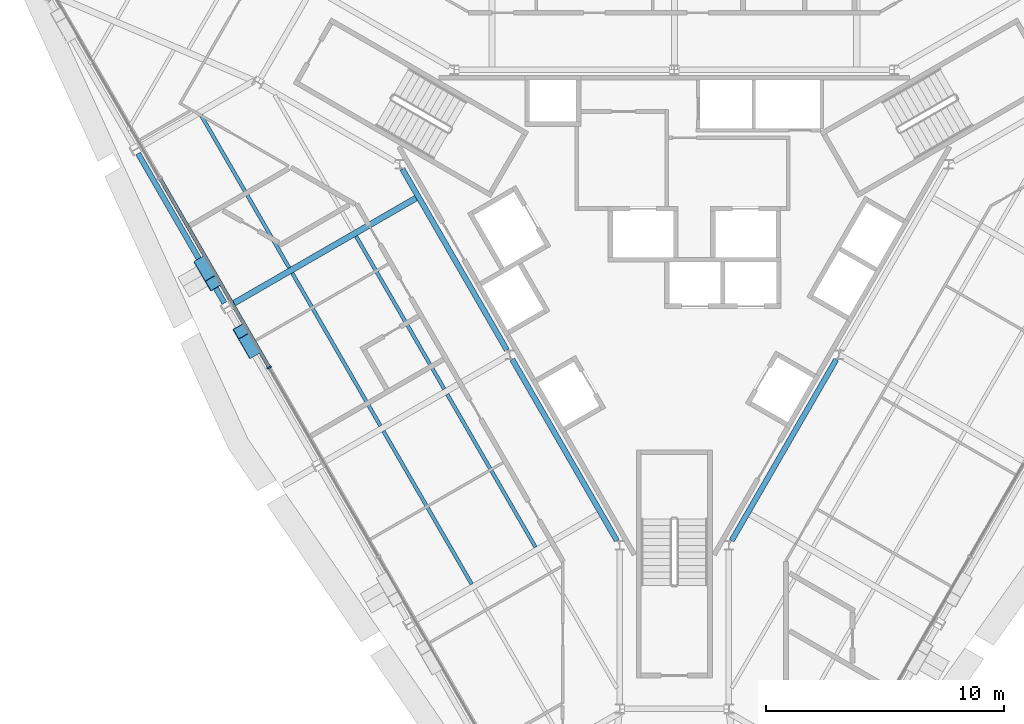
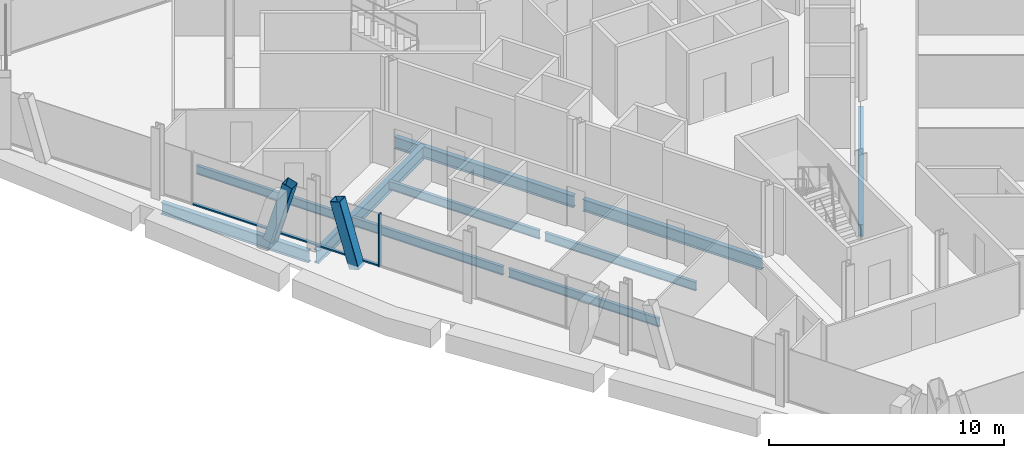
# One storey, part 3 of 13: 10 beams, 4 members, 1 element without a shape of its own.
"""IFC4 building model written with IfcOpenShell, lengths in metres."""

from ifc_helpers import new_model, si_unit, direction, frame, origin, origin_2d, place, context, subcontext, project, spatial, rectangle, hollow_rectangle, i_section, extrude, material, material_profile, profile_set, type_object, element, aggregate, save


model = new_model("IFC4")

# Units and contexts
model_context = context("Model", 3, precision=1e-05, world=origin(), true_north=direction((0.0, 1.0)))
body_context = subcontext(model_context, "Body", "Model", "MODEL_VIEW")
ifc_project = project(units=[si_unit("LENGTHUNIT", "METRE"), si_unit("AREAUNIT", "SQUARE_METRE"), si_unit("VOLUMEUNIT", "CUBIC_METRE"), si_unit("PLANEANGLEUNIT", "RADIAN"), si_unit("MASSUNIT", "GRAM", prefix="KILO")], contexts=[model_context])

# Site, building, storey
site_placement = place(None, origin())
site = spatial("IfcSite", under=ifc_project, at=site_placement, CompositionType="ELEMENT")
building_placement = place(site_placement, origin())
building = spatial("IfcBuilding", under=site, at=building_placement, Name="Verrane Prism Tower", CompositionType="ELEMENT")
storey_placement = place(building_placement, frame((0.0, 0.0, 167.300048828125)))
storey = spatial("IfcBuildingStorey", under=building, at=storey_placement, Name="L41", CompositionType="ELEMENT", Elevation=167.300048828125)

# Beams
ifc_material_1 = material(Name="Steel A992", Category="steel")
ifc_material_profile_1 = material_profile(ifc_material_1, i_section(OverallWidth=0.23046875, OverallDepth=0.6171875, WebThickness=0.01318359375, FlangeThickness=0.022216796875, FilletRadius=0.012939453125, at=origin_2d()), Name="W24x94")
ifc_profile_set_1 = profile_set([ifc_material_profile_1], Name="Steel A992")
beam_type_1 = type_object("IfcBeamType", Name="Core ring girder W24x94", PredefinedType="BEAM", material=ifc_profile_set_1)
beam_1_placement = place(storey_placement, frame((-11.44482421875, 3.820556640625, -0.55859375), z_axis=(0.499967414725, -0.866044216084, 0.0), x_axis=(0.866044216084, 0.499967414725, 0.0)))
element("IfcBeam", 1, at=beam_1_placement, inside=storey, type_object=beam_type_1, Name="Core ring girder L41", PredefinedType="BEAM", context=body_context, shape_type="SweptSolid", body=[
    extrude(i_section(OverallWidth=0.23046875, OverallDepth=0.6171875, WebThickness=0.01318359375, FlangeThickness=0.022216796875, FilletRadius=0.012939453125, at=origin_2d()), origin(), (0.0, 0.0, 1.0), 8.7998046875),
])
for number, where, z_axis, x_axis, name in (
    (2, (-6.81494140625, -4.199462890625, -0.55859375), (0.499988222896, -0.866032203192, 0.0), (0.866032203192, 0.499988222896, 0.0), "Core ring girder L41"),
    (3, (2.4150390625, -11.820556640625, -0.55859375), (0.499988222896, 0.866032203192, 0.0), (-0.866032203192, 0.499988222896, 0.0), "Core ring girder L41"),
):
    element("IfcBeam", number, at=place(storey_placement, frame(where, z_axis=z_axis, x_axis=x_axis)), inside=storey, type_object=beam_type_1, Name=name, PredefinedType="BEAM", context=body_context, shape_type="SweptSolid", body=[
        extrude(i_section(OverallWidth=0.23046875, OverallDepth=0.6171875, WebThickness=0.01318359375, FlangeThickness=0.022216796875, FilletRadius=0.012939453125, at=origin_2d()), origin(), (0.0, 0.0, 1.0), 8.800048828125),
    ])

# Members
ifc_material_2 = material(Name="Steel A500 Grade C", Category="steel")
ifc_material_profile_2 = material_profile(ifc_material_2, hollow_rectangle(XDim=0.508056640625, YDim=0.508056640625, WallThickness=0.01904296875, InnerFilletRadius=0.009521484375, OuterFilletRadius=0.028564453125, at=origin_2d()), Name="HSS20x20x3/4")
ifc_profile_set_2 = profile_set([ifc_material_profile_2], Name="Steel A500 Grade C")
member_type_1 = type_object("IfcMemberType", Name="Facade brace HSS20x20x3/4", PredefinedType="BRACE", material=ifc_profile_set_2)
for number, where, z_axis, x_axis, name in (
    (4, (-19.889892578125, -0.164794921875, -0.216796875), (0.142143736486, -0.246133487031, 0.958756207145), (0.865966742331, 0.500101590855, 0.0), "Facade brace SW1 L41"),
    (5, (-17.770263671875, -3.835205078125, -0.216796875), (-0.142143736486, 0.246133487031, 0.958756207145), (-0.865966742331, -0.500101590855, 0.0), "Facade brace SW2 L41"),
):
    element("IfcMember", number, at=place(storey_placement, frame(where, z_axis=z_axis, x_axis=x_axis)), inside=storey, type_object=member_type_1, Name=name, PredefinedType="BRACE", context=body_context, shape_type="SweptSolid", body=[
        extrude(hollow_rectangle(XDim=0.508056640625, YDim=0.508056640625, WallThickness=0.01904296875, InnerFilletRadius=0.009521484375, OuterFilletRadius=0.028564453125, at=origin_2d()), origin(), (0.0, 0.0, 1.0), 3.333740234375),
    ])

# Beams
ifc_material_3 = material(Name="Steel A992", Category="steel")
ifc_material_profile_3 = material_profile(ifc_material_3, i_section(OverallWidth=0.15234375, OverallDepth=0.449462890625, WebThickness=0.007568359375, FlangeThickness=0.0107421875, FilletRadius=0.01025390625, at=origin_2d()), Name="W18x35")
ifc_profile_set_3 = profile_set([ifc_material_profile_3], Name="Steel A992")
beam_type_2 = type_object("IfcBeamType", Name="Floor beam W18x35", PredefinedType="BEAM", material=ifc_profile_set_3)
beam_2_placement = place(storey_placement, frame((-16.206787109375, -0.340087890625, -0.384765625), z_axis=(-0.50000040832, 0.866025168041, 0.0), x_axis=(-0.866025168041, -0.50000040832, 0.0)))
element("IfcBeam", 6, at=beam_2_placement, inside=storey, type_object=beam_type_2, Name="Floor beam L41", PredefinedType="BEAM", context=body_context, shape_type="SweptSolid", body=[
    extrude(i_section(OverallWidth=0.15234375, OverallDepth=0.449462890625, WebThickness=0.007568359375, FlangeThickness=0.0107421875, FilletRadius=0.01025390625, at=origin_2d()), origin(), (0.0, 0.0, 1.0), 7.42578125),
])
for number, where, z_axis, x_axis, name in (
    (7, (-9.680419921875, -5.440185546875, -0.384765625), (-0.499979562871, 0.866037202845, 0.0), (-0.866037202845, -0.499979562871, 0.0), "Floor beam L41"),
    (8, (-12.3671875, -6.990234375, -0.384765625), (-0.499979562871, 0.866037202845, 0.0), (-0.866037202845, -0.499979562871, 0.0), "Floor beam L41"),
):
    element("IfcBeam", number, at=place(storey_placement, frame(where, z_axis=z_axis, x_axis=x_axis)), inside=storey, type_object=beam_type_2, Name=name, PredefinedType="BEAM", context=body_context, shape_type="SweptSolid", body=[
        extrude(i_section(OverallWidth=0.15234375, OverallDepth=0.449462890625, WebThickness=0.007568359375, FlangeThickness=0.0107421875, FilletRadius=0.01025390625, at=origin_2d()), origin(), (0.0, 0.0, 1.0), 7.425048828125),
    ])
beam_3_placement = place(storey_placement, frame((-5.837646484375, -12.098388671875, -0.384765625), z_axis=(-0.499996323716, 0.866027526278, 0.0), x_axis=(-0.866027526278, -0.499996323716, 0.0)))
element("IfcBeam", 9, at=beam_3_placement, inside=storey, type_object=beam_type_2, Name="Floor beam L41", PredefinedType="BEAM", context=body_context, shape_type="SweptSolid", body=[
    extrude(i_section(OverallWidth=0.15234375, OverallDepth=0.449462890625, WebThickness=0.007568359375, FlangeThickness=0.0107421875, FilletRadius=0.01025390625, at=origin_2d()), origin(), (0.0, 0.0, 1.0), 7.43359375),
])
beam_4_placement = place(storey_placement, frame((-8.525390625, -13.6494140625, -0.384765625), z_axis=(-0.500006734102, 0.866021515814, 0.0), x_axis=(-0.866021515814, -0.500006734102, 0.0)))
element("IfcBeam", 10, at=beam_4_placement, inside=storey, type_object=beam_type_2, Name="Floor beam L41", PredefinedType="BEAM", context=body_context, shape_type="SweptSolid", body=[
    extrude(i_section(OverallWidth=0.15234375, OverallDepth=0.449462890625, WebThickness=0.007568359375, FlangeThickness=0.0107421875, FilletRadius=0.01025390625, at=origin_2d()), origin(), (0.0, 0.0, 1.0), 7.43408203125),
])

# Curtain wall, member
ifc_material_4 = material(Name="Aluminium framed insulated glazing", Category="aluminium")
curtain_wall_type = type_object("IfcCurtainWallType", Name="Curtain wall CW-A 8400 module", PredefinedType="NOTDEFINED", material=ifc_material_4)
curtain_wall_placement = place(storey_placement, origin())
curtain_wall = element("IfcCurtainWall", 11, at=curtain_wall_placement, inside=storey, type_object=curtain_wall_type, Name="Glazed curtain wall south-west face L41", PredefinedType="NOTDEFINED")
ifc_material_5 = material(Name="Aluminium alloy 6063-T6", Category="aluminium")
ifc_material_profile_4 = material_profile(ifc_material_5, rectangle(XDim=0.199951171875, YDim=0.070068359375, at=origin_2d()), Name="Mullion 70x200 aluminium")
ifc_profile_set_4 = profile_set([ifc_material_profile_4], Name="Aluminium alloy 6063-T6")
member_type_2 = type_object("IfcMemberType", Name="Mullion 70x200 aluminium", PredefinedType="MULLION", material=ifc_profile_set_4)
member_1_placement = place(storey_placement, frame((-17.0498046875, -4.531005859375, 0.0), z_axis=(0.0, 0.0, 1.0), x_axis=(0.86602596468, 0.499999028499, 0.0)))
member_1 = element("IfcMember", 12, at=member_1_placement, type_object=member_type_2, Name="CW39.4 mullion 3", PredefinedType="MULLION", context=body_context, shape_type="SweptSolid", body=[
    extrude(rectangle(XDim=0.199951171875, YDim=0.070068359375, at=origin_2d()), origin(), (0.0, 0.0, 1.0), 2.712890625),
])

# Beams
ifc_material_6 = material(Name="Steel A992", Category="steel")
ifc_material_profile_5 = material_profile(ifc_material_6, i_section(OverallWidth=0.25390625, OverallDepth=0.683349609375, WebThickness=0.012451171875, FlangeThickness=0.01904296875, FilletRadius=0.01513671875, at=origin_2d()), Name="W27x94")
ifc_profile_set_5 = profile_set([ifc_material_profile_5], Name="Steel A992")
beam_type_3 = type_object("IfcBeamType", Name="Radial girder W27x94", PredefinedType="BEAM", material=ifc_profile_set_5)
beam_5_placement = place(storey_placement, frame((-18.641845703125, -1.891357421875, -0.561767578125), z_axis=(0.866022759689, 0.500004579679, 0.0), x_axis=(-0.500004579679, 0.866022759689, 0.0)))
element("IfcBeam", 13, at=beam_5_placement, inside=storey, type_object=beam_type_3, Name="Radial girder L41", PredefinedType="BEAM", context=body_context, shape_type="SweptSolid", body=[
    extrude(i_section(OverallWidth=0.25390625, OverallDepth=0.683349609375, WebThickness=0.012451171875, FlangeThickness=0.01904296875, FilletRadius=0.01513671875, at=origin_2d()), origin(), (0.0, 0.0, 1.0), 9.0888671875),
])
ifc_material_7 = material(Name="Steel A992", Category="steel")
ifc_material_profile_6 = material_profile(ifc_material_7, i_section(OverallWidth=0.23046875, OverallDepth=0.6171875, WebThickness=0.01318359375, FlangeThickness=0.022216796875, FilletRadius=0.012939453125, at=origin_2d()), Name="W24x94")
ifc_profile_set_6 = profile_set([ifc_material_profile_6], Name="Steel A992")
beam_type_4 = type_object("IfcBeamType", Name="Spandrel beam W24x94", PredefinedType="SPANDREL", material=ifc_profile_set_6)
beam_6_placement = place(storey_placement, frame((-22.567138671875, 4.4716796875, -0.46875), z_axis=(0.50007721572, -0.865980818678, 0.0), x_axis=(0.865980818678, 0.50007721572, 0.0)))
element("IfcBeam", 14, at=beam_6_placement, inside=storey, type_object=beam_type_4, Name="Spandrel beam L41", PredefinedType="SPANDREL", context=body_context, shape_type="SweptSolid", body=[
    extrude(i_section(OverallWidth=0.23046875, OverallDepth=0.6171875, WebThickness=0.01318359375, FlangeThickness=0.022216796875, FilletRadius=0.012939453125, at=origin_2d()), origin(), (0.0, 0.0, 1.0), 7.267333984375),
])

# Member
ifc_material_8 = material(Name="Aluminium alloy 6063-T6", Category="aluminium")
ifc_material_profile_7 = material_profile(ifc_material_8, rectangle(XDim=0.14990234375, YDim=0.070068359375, at=origin_2d()), Name="Transom 70x150 aluminium")
ifc_profile_set_7 = profile_set([ifc_material_profile_7], Name="Aluminium alloy 6063-T6")
member_type_3 = type_object("IfcMemberType", Name="Transom 70x150 aluminium", PredefinedType="USERDEFINED", material=ifc_profile_set_7)
member_2_placement = place(storey_placement, frame((-21.633056640625, 3.407470703125, 0.034912109375), z_axis=(0.500009425886, -0.866019961678, 0.0), x_axis=(0.866019961678, 0.500009425886, 0.0)))
member_2 = element("IfcMember", 15, at=member_2_placement, type_object=member_type_3, Name="CW39.4 transom 2", ObjectType="TRANSOM", PredefinedType="USERDEFINED", context=body_context, shape_type="SweptSolid", body=[
    extrude(rectangle(XDim=0.14990234375, YDim=0.070068359375, at=origin_2d()), origin(), (0.0, 0.0, 1.0), 9.131591796875),
])

aggregate(curtain_wall, [member_1, member_2])

save(model, "model.ifc")
